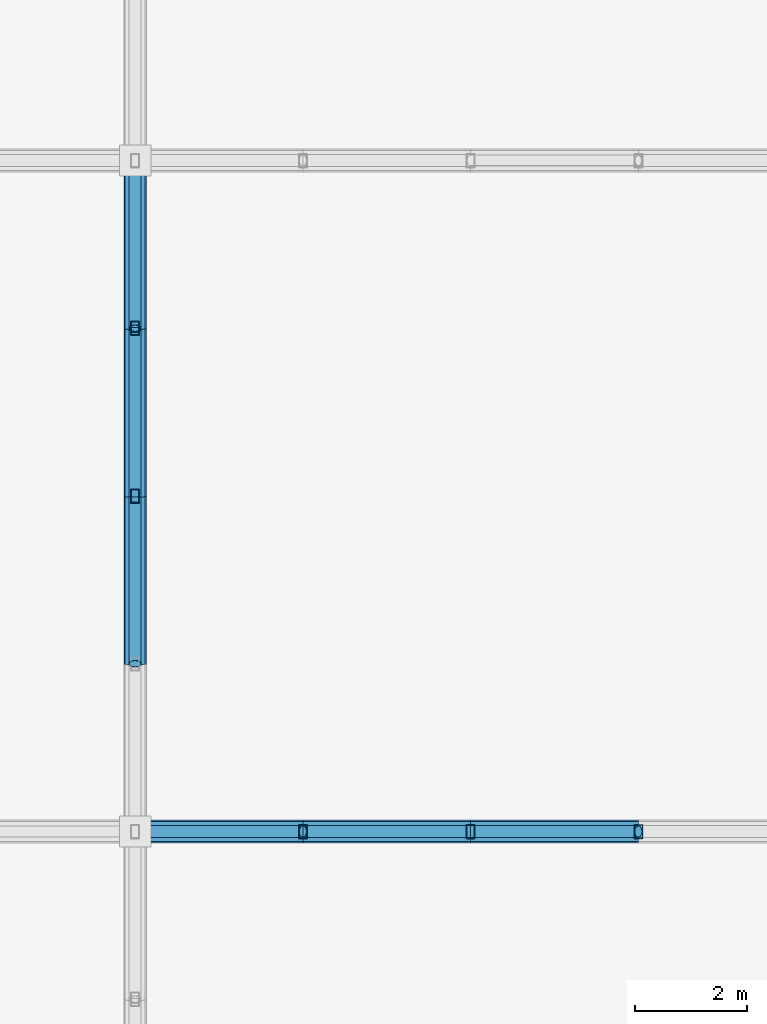
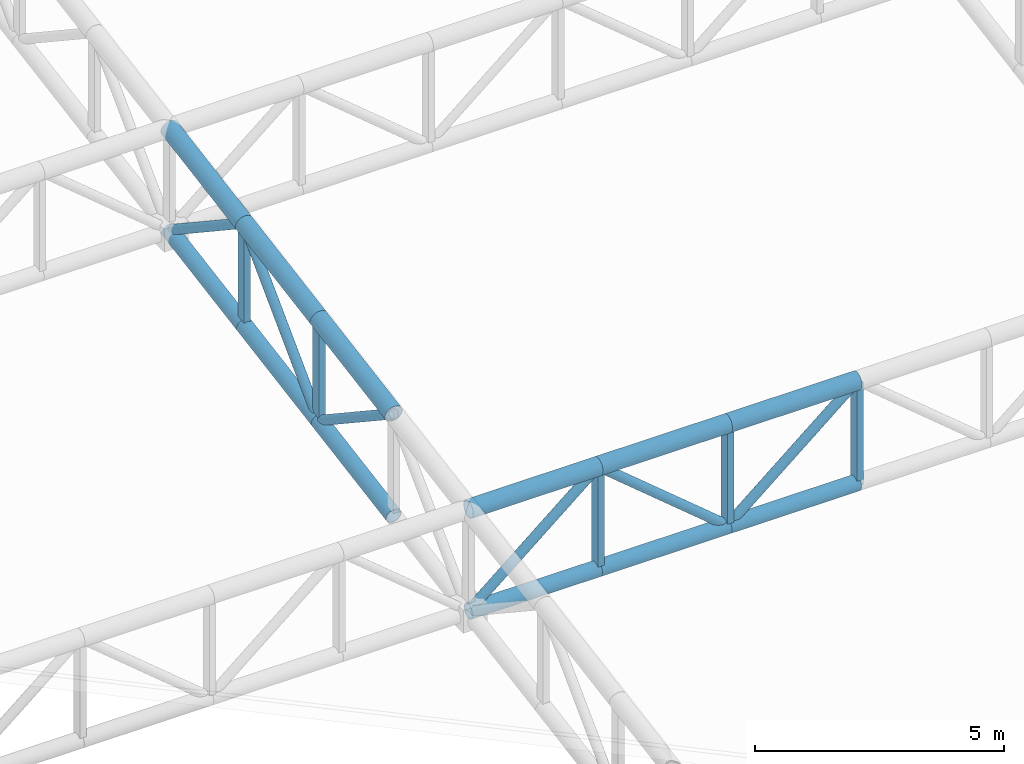
# One storey, part 47 of 239: 23 members.
"""IFC4 building model written with IfcOpenShell, lengths in metres."""

from ifc_helpers import new_model, si_unit, direction, frame, origin, origin_2d, place, context, subcontext, project, spatial, hollow_rectangle, hollow_circle, extrude, material, material_profile, profile_set, type_object, element, save


model = new_model("IFC4")

# Units and contexts
model_context = context("Model", 3, precision=1e-05, world=origin(), true_north=direction((0.0, 1.0)))
body_context = subcontext(model_context, "Body", "Model", "MODEL_VIEW")
ifc_project = project(units=[si_unit("LENGTHUNIT", "METRE"), si_unit("AREAUNIT", "SQUARE_METRE"), si_unit("VOLUMEUNIT", "CUBIC_METRE"), si_unit("PLANEANGLEUNIT", "RADIAN"), si_unit("MASSUNIT", "GRAM", prefix="KILO")], contexts=[model_context])

# Site, building, storey
site_placement = place(None, origin())
site = spatial("IfcSite", under=ifc_project, at=site_placement, CompositionType="ELEMENT")
building_placement = place(site_placement, origin())
building = spatial("IfcBuilding", under=site, at=building_placement, Name="Kaldris Quays Convention Centre", CompositionType="ELEMENT")
storey_placement = place(building_placement, frame((0.0, 0.0, 11.39990234375)))
storey = spatial("IfcBuildingStorey", under=building, at=storey_placement, Name="L02", CompositionType="ELEMENT", Elevation=11.39990234375)

# Members
ifc_material = material(Name="Steel S355J2H", Category="steel")
ifc_material_profile_1 = material_profile(ifc_material, hollow_circle(Radius=0.203125, WallThickness=0.01611328125, at=origin_2d()), Name="CHS 406.4x16")
ifc_profile_set_1 = profile_set([ifc_material_profile_1], Name="Steel S355J2H")
member_type_1 = type_object("IfcMemberType", Name="STRUCTURAL MEMBER SC01", PredefinedType="CHORD", material=ifc_profile_set_1)
for number, where, z_axis, x_axis, name in (
    (1, (74.0, 68.0, 11.72900390625), (1.0, 0.0, 0.0), (0.0, 1.0, 0.0), "SF-V1 Top Chord X 61"),
    (2, (77.0, 68.0, 11.72900390625), (1.0, 0.0, 0.0), (0.0, 1.0, 0.0), "SF-V1 Top Chord X 62"),
    (3, (80.0, 68.0, 11.72900390625), (1.0, 0.0, 0.0), (0.0, 1.0, 0.0), "SF-V1 Top Chord X 63"),
):
    element("IfcMember", number, at=place(storey_placement, frame(where, z_axis=z_axis, x_axis=x_axis)), inside=storey, type_object=member_type_1, Name=name, PredefinedType="CHORD", context=body_context, shape_type="SweptSolid", body=[
        extrude(hollow_circle(Radius=0.203125, WallThickness=0.01611328125, at=origin_2d()), origin(), (0.0, 0.0, 1.0), 3.0),
    ])
for number, where, z_axis, x_axis, name in (
    (4, (74.0, 71.0, 12.243408203125), (0.0, 0.98562912375, 0.168923741424), (-1.0, 0.0, 0.0), "SF-V1 Top Chord Y 426"),
    (5, (74.0, 74.0, 12.757568359375), (0.0, 0.985615766076, 0.169001661712), (-1.0, 0.0, 0.0), "SF-V1 Top Chord Y 427"),
    (6, (74.0, 77.0, 13.27197265625), (0.0, 0.98562912375, 0.168923741424), (-1.0, 0.0, 0.0), "SF-V1 Top Chord Y 428"),
):
    element("IfcMember", number, at=place(storey_placement, frame(where, z_axis=z_axis, x_axis=x_axis)), inside=storey, type_object=member_type_1, Name=name, PredefinedType="CHORD", context=body_context, shape_type="SweptSolid", body=[
        extrude(hollow_circle(Radius=0.203125, WallThickness=0.01611328125, at=origin_2d()), origin(), (0.0, 0.0, 1.0), 3.043701171875),
    ])
ifc_material_profile_2 = material_profile(ifc_material, hollow_circle(Radius=0.177734375, WallThickness=0.01611328125, at=origin_2d()), Name="CHS 355.6x16")
ifc_profile_set_2 = profile_set([ifc_material_profile_2], Name="Steel S355J2H")
member_type_2 = type_object("IfcMemberType", Name="STRUCTURAL MEMBER SC02", PredefinedType="CHORD", material=ifc_profile_set_2)
for number, where, z_axis, x_axis, name in (
    (7, (74.0, 68.0, 9.22900390625), (1.0, 0.0, 0.0), (0.0, 1.0, 0.0), "SF-V1 Bottom Chord X 61"),
    (8, (77.0, 68.0, 9.22900390625), (1.0, 0.0, 0.0), (0.0, 1.0, 0.0), "SF-V1 Bottom Chord X 62"),
    (9, (80.0, 68.0, 9.22900390625), (1.0, 0.0, 0.0), (0.0, 1.0, 0.0), "SF-V1 Bottom Chord X 63"),
):
    element("IfcMember", number, at=place(storey_placement, frame(where, z_axis=z_axis, x_axis=x_axis)), inside=storey, type_object=member_type_2, Name=name, PredefinedType="CHORD", context=body_context, shape_type="SweptSolid", body=[
        extrude(hollow_circle(Radius=0.177734375, WallThickness=0.01611328125, at=origin_2d()), origin(), (0.0, 0.0, 1.0), 3.0),
    ])
for number, where, z_axis, x_axis, name in (
    (10, (74.0, 71.0, 9.743408203125), (0.0, 0.98562912375, 0.168923741424), (-1.0, 0.0, 0.0), "SF-V1 Bottom Chord Y 426"),
    (11, (74.0, 74.0, 10.257568359375), (0.0, 0.985615766076, 0.169001661712), (-1.0, 0.0, 0.0), "SF-V1 Bottom Chord Y 427"),
    (12, (74.0, 77.0, 10.77197265625), (0.0, 0.98562912375, 0.168923741424), (-1.0, 0.0, 0.0), "SF-V1 Bottom Chord Y 428"),
):
    element("IfcMember", number, at=place(storey_placement, frame(where, z_axis=z_axis, x_axis=x_axis)), inside=storey, type_object=member_type_2, Name=name, PredefinedType="CHORD", context=body_context, shape_type="SweptSolid", body=[
        extrude(hollow_circle(Radius=0.177734375, WallThickness=0.01611328125, at=origin_2d()), origin(), (0.0, 0.0, 1.0), 3.043701171875),
    ])
ifc_material_profile_3 = material_profile(ifc_material, hollow_circle(Radius=0.109619140625, WallThickness=0.010009765625, at=origin_2d()), Name="CHS 219.1x10")
ifc_profile_set_3 = profile_set([ifc_material_profile_3], Name="Steel S355J2H")
member_type_3 = type_object("IfcMemberType", Name="STRUCTURAL MEMBER SWB1", PredefinedType="BRACE", material=ifc_profile_set_3)
for number, where, z_axis, x_axis, name in (
    (13, (74.0, 68.0, 9.22900390625), (0.768221279597, 0.0, 0.640184399664), (0.0, 1.0, 0.0), "SF-V1 Web Diagonal X 61"),
    (14, (80.0, 68.0, 9.22900390625), (-0.768221279597, 0.0, 0.640184399664), (0.0, -1.0, 0.0), "SF-V1 Web Diagonal X 62"),
    (15, (80.0, 68.0, 9.22900390625), (0.768221279597, 0.0, 0.640184399664), (0.0, 1.0, 0.0), "SF-V1 Web Diagonal X 63"),
):
    element("IfcMember", number, at=place(storey_placement, frame(where, z_axis=z_axis, x_axis=x_axis)), inside=storey, type_object=member_type_3, Name=name, PredefinedType="BRACE", context=body_context, shape_type="SweptSolid", body=[
        extrude(hollow_circle(Radius=0.109619140625, WallThickness=0.010009765625, at=origin_2d()), origin(), (0.0, 0.0, 1.0), 3.905029296875),
    ])
member_1_placement = place(storey_placement, frame((74.0, 74.0, 10.257568359375), z_axis=(0.0, -0.833862389808, 0.551972385962), x_axis=(1.0, 0.0, 0.0)))
element("IfcMember", 16, at=member_1_placement, inside=storey, type_object=member_type_3, Name="SF-V1 Web Diagonal Y 426", PredefinedType="BRACE", context=body_context, shape_type="SweptSolid", body=[
    extrude(hollow_circle(Radius=0.109619140625, WallThickness=0.010009765625, at=origin_2d()), origin(), (0.0, 0.0, 1.0), 3.59765625),
])
member_2_placement = place(storey_placement, frame((74.0, 74.0, 10.257568359375), z_axis=(0.0, 0.705411261057, 0.708798245465), x_axis=(-1.0, 0.0, 0.0)))
element("IfcMember", 17, at=member_2_placement, inside=storey, type_object=member_type_3, Name="SF-V1 Web Diagonal Y 427", PredefinedType="BRACE", context=body_context, shape_type="SweptSolid", body=[
    extrude(hollow_circle(Radius=0.109619140625, WallThickness=0.010009765625, at=origin_2d()), origin(), (0.0, 0.0, 1.0), 4.2529296875),
])
member_3_placement = place(storey_placement, frame((74.0, 80.0, 11.2861328125), z_axis=(0.0, -0.833862389808, 0.551972385962), x_axis=(1.0, 0.0, 0.0)))
element("IfcMember", 18, at=member_3_placement, inside=storey, type_object=member_type_3, Name="SF-V1 Web Diagonal Y 428", PredefinedType="BRACE", context=body_context, shape_type="SweptSolid", body=[
    extrude(hollow_circle(Radius=0.109619140625, WallThickness=0.010009765625, at=origin_2d()), origin(), (0.0, 0.0, 1.0), 3.59765625),
])
ifc_material_profile_4 = material_profile(ifc_material, hollow_rectangle(XDim=0.14990234375, YDim=0.25, WallThickness=0.010009765625, at=origin_2d()), Name="RHS 250x150x10")
ifc_profile_set_4 = profile_set([ifc_material_profile_4], Name="Steel S355J2H")
member_type_4 = type_object("IfcMemberType", Name="STRUCTURAL MEMBER TTV1", PredefinedType="POST", material=ifc_profile_set_4)
for number, where, z_axis, x_axis, name in (
    (19, (74.0, 74.0, 10.257568359375), (0.0, 0.0, 1.0), (1.0, 0.0, 0.0), "SF-V1 Space-Frame Post 214"),
    (20, (74.0, 77.0, 10.77197265625), (0.0, 0.0, 1.0), (1.0, 0.0, 0.0), "SF-V1 Space-Frame Post 215"),
    (21, (77.0, 68.0, 9.22900390625), (0.0, 0.0, 1.0), (1.0, 0.0, 0.0), "SF-V1 Space-Frame Post 238"),
    (22, (80.0, 68.0, 9.22900390625), (0.0, 0.0, 1.0), (1.0, 0.0, 0.0), "SF-V1 Space-Frame Post 246"),
    (23, (83.0, 68.0, 9.22900390625), (0.0, 0.0, 1.0), (1.0, 0.0, 0.0), "SF-V1 Space-Frame Post 254"),
):
    element("IfcMember", number, at=place(storey_placement, frame(where, z_axis=z_axis, x_axis=x_axis)), inside=storey, type_object=member_type_4, Name=name, PredefinedType="POST", context=body_context, shape_type="SweptSolid", body=[
        extrude(hollow_rectangle(XDim=0.14990234375, YDim=0.25, WallThickness=0.010009765625, at=origin_2d()), origin(), (0.0, 0.0, 1.0), 2.5),
    ])

save(model, "model.ifc")
